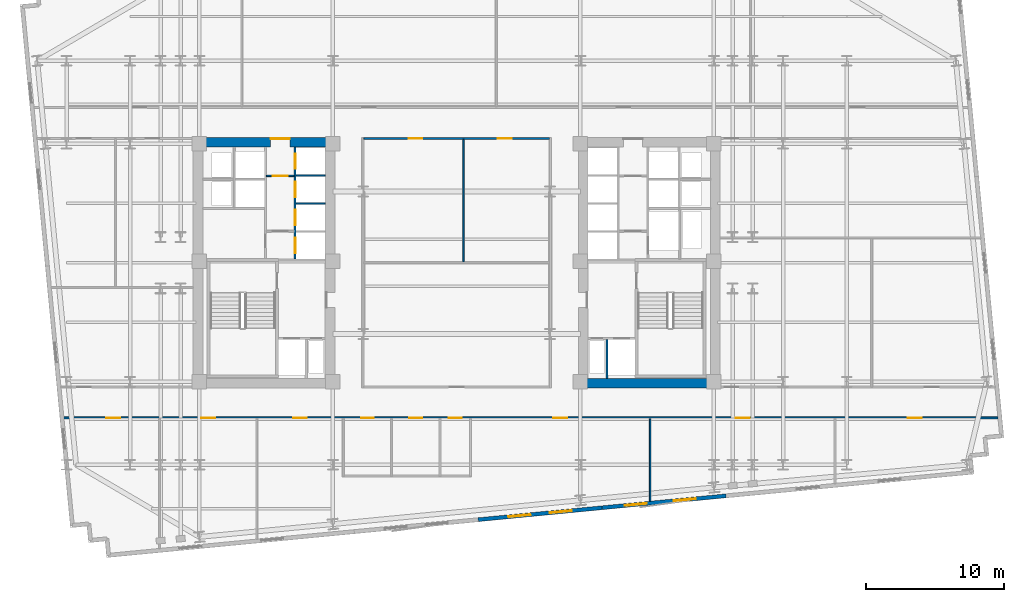
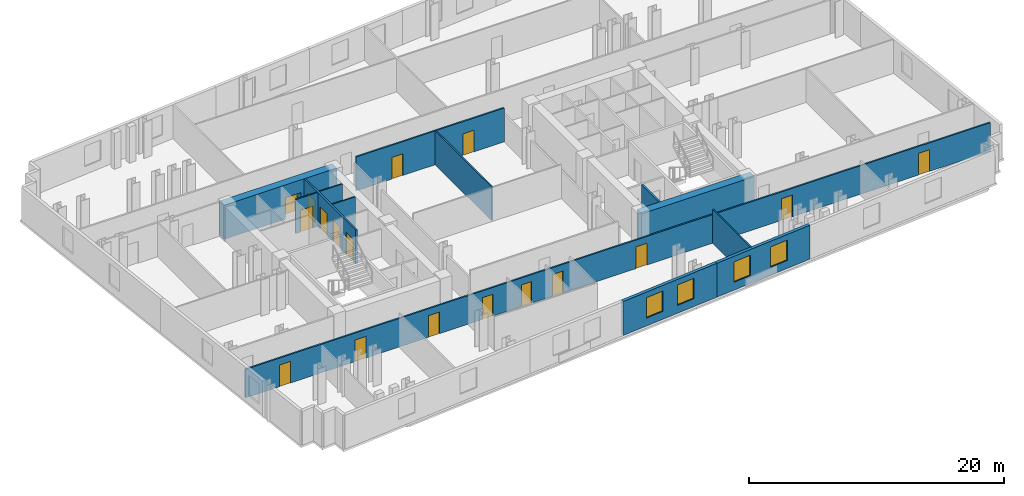
# One storey, part 5 of 10: 17 doors, 13 walls, 4 windows, 21 openings.
"""IFC4 building model written with IfcOpenShell, lengths in metres."""

import ifcopenshell
import ifcopenshell.guid

model = None  # the IFC model being written
_history = None  # IfcOwnerHistory: only IFC2X3 demands one
_inside = {}  # id of a spatial element -> (the spatial element, [elements in it])
_under = {}  # id of a project, library or spatial element -> (it, [spatial elements below it])
_declared = {}  # id of a project -> (the project, [libraries it declares])
_typed = {}  # id of a type object -> (the type object, [elements of that type])
_made_of = {}  # id of a material, layer set ... -> (it, [elements and type objects made of it])


def new_model(schema):
    """Start an empty IFC model of exactly this schema.

    Asked for "IFC4X3", IfcOpenShell would pick the latest addendum, in which some entities
    have other attributes; the version numbers below select the first issue.
    IFC2X3 requires an IfcOwnerHistory on every rooted entity: one is made here for all.
    """
    global model, _history
    if schema == "IFC4X3":
        model = ifcopenshell.file(schema_version=(4, 3, 0, 0))
    else:
        model = ifcopenshell.file(schema=schema)
    _inside.clear()
    _under.clear()
    _declared.clear()
    _typed.clear()
    _made_of.clear()
    _history = None
    if model.schema == "IFC2X3":
        org = make("IfcOrganization", Name="unknown")
        user = make(
            "IfcPersonAndOrganization",
            ThePerson=make("IfcPerson", FamilyName="unknown"),
            TheOrganization=org,
        )
        app = make(
            "IfcApplication",
            ApplicationDeveloper=org,
            Version="unknown",
            ApplicationFullName="unknown",
            ApplicationIdentifier="unknown",
        )
        _history = make(
            "IfcOwnerHistory",
            OwningUser=user,
            OwningApplication=app,
            ChangeAction="ADDED",
            CreationDate=0,
        )
    return model


def make(cls, **values):
    """One entity of the class cls with the attributes given. An attribute that is None is left unset."""
    return model.create_entity(
        cls, **{name: value for name, value in values.items() if value is not None}
    )


def rooted(cls, **values):
    """An entity with a GlobalId (a new one), such as an element, a storey or a relation."""
    return make(cls, GlobalId=ifcopenshell.guid.new(), OwnerHistory=_history, **values)


def si_unit(unit_type, name, prefix=None):
    """IfcSIUnit, for example si_unit("LENGTHUNIT", "METRE", prefix="MILLI")."""
    return make("IfcSIUnit", UnitType=unit_type, Prefix=prefix, Name=name)


def assignment(units):
    """IfcUnitAssignment: the units of a project."""
    return None if units is None else make("IfcUnitAssignment", Units=units)


def point(xyz):
    """IfcCartesianPoint."""
    return None if xyz is None else make("IfcCartesianPoint", Coordinates=xyz)


def direction(xyz):
    """IfcDirection."""
    return None if xyz is None else make("IfcDirection", DirectionRatios=xyz)


def frame(location, z_axis=None, x_axis=None):
    """IfcAxis2Placement3D, a coordinate frame: its origin and axes. An axis left out is left unset."""
    return make(
        "IfcAxis2Placement3D",
        Location=point(location),
        Axis=direction(z_axis),
        RefDirection=direction(x_axis),
    )


def frame_2d(location, x_axis=None):
    """IfcAxis2Placement2D, a coordinate frame in the plane: its origin and x axis."""
    return make(
        "IfcAxis2Placement2D", Location=point(location), RefDirection=direction(x_axis)
    )


def origin():
    """The frame at (0, 0, 0) with its axes left unset."""
    return frame((0.0, 0.0, 0.0))


def place(relative_to, where):
    """IfcLocalPlacement: puts the frame where relative to a parent placement (None: the world)."""
    return make(
        "IfcLocalPlacement", PlacementRelTo=relative_to, RelativePlacement=where
    )


def context(
    kind, dimensions, precision=None, world=None, true_north=None, identifier=None
):
    """IfcGeometricRepresentationContext, for example the 3D "Model" context."""
    return make(
        "IfcGeometricRepresentationContext",
        ContextIdentifier=identifier,
        ContextType=kind,
        CoordinateSpaceDimension=dimensions,
        Precision=precision,
        WorldCoordinateSystem=world,
        TrueNorth=true_north,
    )


def subcontext(parent, identifier, kind, view, scale=None):
    """IfcGeometricRepresentationSubContext, for example "Body" below "Model"."""
    return make(
        "IfcGeometricRepresentationSubContext",
        ContextIdentifier=identifier,
        ContextType=kind,
        ParentContext=parent,
        TargetScale=scale,
        TargetView=view,
    )


def project(units=None, contexts=None):
    """IfcProject with its units and contexts."""
    return rooted(
        "IfcProject",
        Name="project",
        RepresentationContexts=contexts,
        UnitsInContext=assignment(units),
    )


def spatial(cls, under=None, at=None, **own):
    """A site, building, storey or space (cls), placed at a placement, below another one or the project."""
    s = rooted(cls, ObjectPlacement=at, **own)
    if under is not None:
        _under.setdefault(under.id(), (under, []))[1].append(s)
    return s


def profile(cls, at=None, kind="AREA", **sizes):
    """A parametric profile (cls). Its sizes go by their IFC names, for example OverallWidth=200.0."""
    return make(cls, ProfileType=kind, Position=at, **sizes)


def rectangle(**sizes):
    """IfcRectangleProfileDef."""
    return profile("IfcRectangleProfileDef", **sizes)


def extrude(swept, where, along, depth):
    """IfcExtrudedAreaSolid: the profile swept, set in the frame where, extruded along a direction by depth."""
    return make(
        "IfcExtrudedAreaSolid",
        SweptArea=swept,
        Position=where,
        ExtrudedDirection=direction(along),
        Depth=depth,
    )


def shape(context_of_items, identifier, shape_type, items):
    """IfcShapeRepresentation: the items that make up one representation, for example the "Body"."""
    return make(
        "IfcShapeRepresentation",
        ContextOfItems=context_of_items,
        RepresentationIdentifier=identifier,
        RepresentationType=shape_type,
        Items=items,
    )


def material(Name=None, Category=None):
    """IfcMaterial."""
    return make("IfcMaterial", Name=Name, Category=Category)


def layer(
    of_material, thickness, ventilated=None, Name=None, Category=None, Priority=None
):
    """IfcMaterialLayer: one layer of a wall or slab, of a material (None: an air gap)."""
    return make(
        "IfcMaterialLayer",
        Material=of_material,
        LayerThickness=thickness,
        IsVentilated=ventilated,
        Name=Name,
        Category=Category,
        Priority=Priority,
    )


def layer_set(layers, Name=None):
    """IfcMaterialLayerSet."""
    return make("IfcMaterialLayerSet", MaterialLayers=layers, LayerSetName=Name)


def made_of(thing, what):
    """Note that an element or type object is made of a material, layer set ...; save() writes the relation."""
    if what is not None:
        _made_of.setdefault(what.id(), (what, []))[1].append(thing)
    return thing


def type_object(cls, material=None, **own):
    """A type object (cls), such as IfcWallType, which elements share."""
    return made_of(rooted(cls, **own), material)


def element(
    cls,
    number,
    at=None,
    inside=None,
    cuts=None,
    type_object=None,
    material=None,
    context=None,
    identifier="Body",
    shape_type=None,
    held_by="IfcProductDefinitionShape",
    body=None,
    shapes=None,
    **own,
):
    """One element of the class cls, such as IfcWall. Its Tag is "e" and its number.

    at: its placement. inside: the storey or other place that contains it. cuts: it is an
    opening in that element (IfcRelVoidsElement). A single representation is given by context,
    identifier, shape_type and body (its items); several are given by shapes. held_by: the class
    of the entity that holds the representations. save() writes the other relations.
    """
    e = rooted(cls, Tag="e%d" % number, ObjectPlacement=at, **own)
    if body is not None:
        shapes = [shape(context, identifier, shape_type, body)]
    if shapes is not None:
        e.Representation = make(held_by, Representations=shapes)
    if inside is not None:
        _inside.setdefault(inside.id(), (inside, []))[1].append(e)
    if cuts is not None:
        rooted(
            "IfcRelVoidsElement", RelatingBuildingElement=cuts, RelatedOpeningElement=e
        )
    if type_object is not None:
        _typed.setdefault(type_object.id(), (type_object, []))[1].append(e)
    return made_of(e, material)


def fill(opening, filler):
    """IfcRelFillsElement: the door or window that sits in an opening."""
    return rooted(
        "IfcRelFillsElement",
        RelatingOpeningElement=opening,
        RelatedBuildingElement=filler,
    )


def aggregate(whole, parts):
    """IfcRelAggregates: a whole, such as a stair, and the parts it consists of."""
    return rooted("IfcRelAggregates", RelatingObject=whole, RelatedObjects=parts)


def save(model, path):
    """Write the relations noted so far, then the file.

    IfcRelAggregates (storeys below a building ...), IfcRelContainedInSpatialStructure (elements
    in a storey), IfcRelDefinesByType, IfcRelAssociatesMaterial and IfcRelDeclares: one each for
    every whole, place, type object, material and project.
    """
    for whole, parts in _under.values():
        aggregate(whole, parts)
    for where, things in _inside.values():
        rooted(
            "IfcRelContainedInSpatialStructure",
            RelatedElements=things,
            RelatingStructure=where,
        )
    for kind, things in _typed.values():
        rooted("IfcRelDefinesByType", RelatedObjects=things, RelatingType=kind)
    for what, things in _made_of.values():
        rooted("IfcRelAssociatesMaterial", RelatedObjects=things, RelatingMaterial=what)
    for by, libraries in _declared.values():
        rooted("IfcRelDeclares", RelatingContext=by, RelatedDefinitions=libraries)
    model.write(path)


model = new_model("IFC4")

# Units and contexts
model_context = context("Model", 3, precision=1e-05, world=origin(), true_north=direction((0.0, 1.0)))
body_context = subcontext(model_context, "Body", "Model", "MODEL_VIEW")
ifc_project = project(units=[si_unit("LENGTHUNIT", "METRE"), si_unit("AREAUNIT", "SQUARE_METRE"), si_unit("VOLUMEUNIT", "CUBIC_METRE"), si_unit("PLANEANGLEUNIT", "RADIAN"), si_unit("MASSUNIT", "GRAM", prefix="KILO")], contexts=[model_context])

# Site, building, storey
site_placement = place(None, origin())
site = spatial("IfcSite", under=ifc_project, at=site_placement, CompositionType="ELEMENT")
building_placement = place(site_placement, origin())
building = spatial("IfcBuilding", under=site, at=building_placement, Name="Velakula Bourse", CompositionType="ELEMENT")
storey_placement = place(building_placement, frame((0.0, 0.0, 98.35009765625)))
storey = spatial("IfcBuildingStorey", under=building, at=storey_placement, Name="L26", CompositionType="ELEMENT", Elevation=98.35009765625)

# Wall, opening, door
ifc_material_1 = material(Name="Concrete M70 (fck 70 MPa)", Category="concrete")
ifc_layer_1 = layer(ifc_material_1, 0.699951171875, Name="Concrete M70 (fck 70 MPa)", Category="concrete")
ifc_layer_set_1 = layer_set([ifc_layer_1], Name="Concrete M70 (fck 70 MPa)")
wall_type_1 = type_object("IfcWallType", Name="WL-CORE-700", PredefinedType="SHEAR", material=ifc_layer_set_1)
wall_1_placement = place(storey_placement, frame((-19.050048828125, 8.699951171875, 0.0), z_axis=(0.0, 0.0, 1.0), x_axis=(1.0, 0.0, 0.0)))
wall_1 = element("IfcWall", 1, at=wall_1_placement, inside=storey, type_object=wall_type_1, Name="L26 Core W Shear Wall N", PredefinedType="SHEAR", context=body_context, shape_type="SweptSolid", body=[
    extrude(rectangle(XDim=10.25, YDim=0.699951171875, at=frame_2d((5.125, 0.0))), origin(), (0.0, 0.0, 1.0), 3.27001953125),
])
opening_1_placement = place(wall_1_placement, frame((5.60009765625, 0.0, 0.0)))
opening_1 = element("IfcOpeningElement", 2, at=opening_1_placement, cuts=wall_1, Name="Opening D-LLW", PredefinedType="OPENING", context=body_context, shape_type="SweptSolid", body=[
    extrude(rectangle(XDim=1.39990234375, YDim=2.050048828125, at=frame_2d((0.699951171875, 1.02490234375))), frame((0.0, 0.35986328125, 0.0), z_axis=(0.0, -1.0, 0.0), x_axis=(1.0, 0.0, 0.0)), (0.0, 0.0, 1.0), 0.719970703125),
])
ifc_material_2 = material(Name="Fire-rated hardwood flush architectural door", Category="wood")
door_type_1 = type_object("IfcDoorType", Name="DR-DBL-FD60-1400", OperationType="DOUBLE_DOOR_SINGLE_SWING", PredefinedType="DOOR", material=ifc_material_2)
door_1_placement = place(opening_1_placement, origin())
door_1 = element("IfcDoor", 3, at=door_1_placement, inside=storey, type_object=door_type_1, Name="L26 Core W Lift Lobby Corridor Double Door", OperationType="DOUBLE_DOOR_SINGLE_SWING", OverallHeight=2.050048828125, OverallWidth=1.39990234375, PredefinedType="DOOR", context=body_context, shape_type="SweptSolid", body=[
    extrude(rectangle(XDim=1.39990234375, YDim=2.050048828125, at=frame_2d((0.699951171875, 1.02490234375))), frame((0.0, 0.294921875, 0.0), z_axis=(0.0, -1.0, 0.0), x_axis=(1.0, 0.0, 0.0)), (0.0, 0.0, 1.0), 0.050048828125),
])
fill(opening_1, door_1)

# Wall
wall_2_placement = place(storey_placement, frame((8.800048828125, -8.699951171875, 0.0), z_axis=(0.0, 0.0, 1.0), x_axis=(1.0, 0.0, 0.0)))
element("IfcWall", 4, at=wall_2_placement, inside=storey, type_object=wall_type_1, Name="L26 Core E Shear Wall S", PredefinedType="SHEAR", context=body_context, shape_type="SweptSolid", body=[
    extrude(rectangle(XDim=10.25, YDim=0.699951171875, at=frame_2d((5.125, 0.0))), origin(), (0.0, 0.0, 1.0), 3.27001953125),
])

# Wall, openings, windows
ifc_material_3 = material(Name="Red kilned clay facing brick masonry", Category="masonry")
ifc_layer_2 = layer(ifc_material_3, 0.280029296875, Name="Red kilned clay facing brick masonry", Category="masonry")
ifc_layer_set_2 = layer_set([ifc_layer_2], Name="Red kilned clay facing brick masonry")
wall_type_2 = type_object("IfcWallType", Name="WL-EXT-BRK-280", PredefinedType="STANDARD", material=ifc_layer_set_2)
wall_3_placement = place(storey_placement, frame((10.51513671875, -17.7109375, 0.0), z_axis=(0.0, 0.0, 1.0), x_axis=(-0.995397043619, -0.095836973841, 0.0)))
wall_3 = element("IfcWall", 5, at=wall_3_placement, inside=storey, type_object=wall_type_2, Name="L26 S Brick Spandrel Wall B3", PredefinedType="STANDARD", context=body_context, shape_type="SweptSolid", body=[
    extrude(rectangle(XDim=9.000244140625, YDim=0.280029296875, at=frame_2d((4.5, 0.0))), origin(), (0.0, 0.0, 1.0), 3.25),
])
opening_2_placement = place(wall_3_placement, frame((2.199951171875, 0.0, 0.760009765625)))
opening_2 = element("IfcOpeningElement", 6, at=opening_2_placement, cuts=wall_3, Name="Opening W-02", PredefinedType="OPENING", context=body_context, shape_type="SweptSolid", body=[
    extrude(rectangle(XDim=1.60009765625, YDim=1.949951171875, at=frame_2d((0.800048828125, 0.97509765625))), frame((0.0, 0.14990234375, 0.0), z_axis=(0.0, -1.0, 0.0), x_axis=(1.0, 0.0, 0.0)), (0.0, 0.0, 1.0), 0.300048828125),
])
opening_3_placement = place(wall_3_placement, frame((5.199951171875, 0.0, 0.760009765625)))
opening_3 = element("IfcOpeningElement", 7, at=opening_3_placement, cuts=wall_3, Name="Opening W-02", PredefinedType="OPENING", context=body_context, shape_type="SweptSolid", body=[
    extrude(rectangle(XDim=1.60009765625, YDim=1.949951171875, at=frame_2d((0.800048828125, 0.97509765625))), frame((0.0, 0.14990234375, 0.0), z_axis=(0.0, -1.0, 0.0), x_axis=(1.0, 0.0, 0.0)), (0.0, 0.0, 1.0), 0.300048828125),
])
ifc_material_4 = material(Name="Double-glazed solar-control Low-E glass", Category="glass")
window_type = type_object("IfcWindowType", Name="WIN-TWR-1600x2100", PartitioningType="SINGLE_PANEL", PredefinedType="WINDOW", material=ifc_material_4)
window_1_placement = place(opening_2_placement, origin())
window_1 = element("IfcWindow", 8, at=window_1_placement, inside=storey, type_object=window_type, Name="L26 Deep-Set Recessed Window 1", OverallHeight=1.949951171875, OverallWidth=1.60009765625, PartitioningType="SINGLE_PANEL", PredefinedType="WINDOW", context=body_context, shape_type="SweptSolid", body=[
    extrude(rectangle(XDim=1.60009765625, YDim=1.949951171875, at=frame_2d((0.800048828125, 0.97509765625))), frame((0.0, 0.030029296875, 0.0), z_axis=(0.0, -1.0, 0.0), x_axis=(1.0, 0.0, 0.0)), (0.0, 0.0, 1.0), 0.06005859375),
])
fill(opening_2, window_1)
window_2_placement = place(opening_3_placement, origin())
window_2 = element("IfcWindow", 9, at=window_2_placement, inside=storey, type_object=window_type, Name="L26 Deep-Set Recessed Window 2", OverallHeight=1.949951171875, OverallWidth=1.60009765625, PartitioningType="SINGLE_PANEL", PredefinedType="WINDOW", context=body_context, shape_type="SweptSolid", body=[
    extrude(rectangle(XDim=1.60009765625, YDim=1.949951171875, at=frame_2d((0.800048828125, 0.97509765625))), frame((0.0, 0.030029296875, 0.0), z_axis=(0.0, -1.0, 0.0), x_axis=(1.0, 0.0, 0.0)), (0.0, 0.0, 1.0), 0.06005859375),
])
fill(opening_3, window_2)

wall_4_placement = place(storey_placement, frame((19.4736328125, -16.848388671875, 0.0), z_axis=(0.0, 0.0, 1.0), x_axis=(-0.995396794462, -0.09583956164, 0.0)))
wall_4 = element("IfcWall", 10, at=wall_4_placement, inside=storey, type_object=wall_type_2, Name="L26 S Brick Spandrel Wall B4", PredefinedType="STANDARD", context=body_context, shape_type="SweptSolid", body=[
    extrude(rectangle(XDim=9.0, YDim=0.280029296875, at=frame_2d((4.5, 0.0))), origin(), (0.0, 0.0, 1.0), 3.25),
])
opening_4_placement = place(wall_4_placement, frame((2.199951171875, 0.0, 0.760009765625)))
opening_4 = element("IfcOpeningElement", 11, at=opening_4_placement, cuts=wall_4, Name="Opening W-02", PredefinedType="OPENING", context=body_context, shape_type="SweptSolid", body=[
    extrude(rectangle(XDim=1.60009765625, YDim=1.949951171875, at=frame_2d((0.800048828125, 0.97509765625))), frame((0.0, 0.14990234375, 0.0), z_axis=(0.0, -1.0, 0.0), x_axis=(1.0, 0.0, 0.0)), (0.0, 0.0, 1.0), 0.300048828125),
])
opening_5_placement = place(wall_4_placement, frame((5.75, 0.0, 0.760009765625)))
opening_5 = element("IfcOpeningElement", 12, at=opening_5_placement, cuts=wall_4, Name="Opening W-02", PredefinedType="OPENING", context=body_context, shape_type="SweptSolid", body=[
    extrude(rectangle(XDim=1.60009765625, YDim=1.949951171875, at=frame_2d((0.800048828125, 0.97509765625))), frame((0.0, 0.14990234375, 0.0), z_axis=(0.0, -1.0, 0.0), x_axis=(1.0, 0.0, 0.0)), (0.0, 0.0, 1.0), 0.300048828125),
])
window_3_placement = place(opening_4_placement, origin())
window_3 = element("IfcWindow", 13, at=window_3_placement, inside=storey, type_object=window_type, Name="L26 Deep-Set Recessed Window 1", OverallHeight=1.949951171875, OverallWidth=1.60009765625, PartitioningType="SINGLE_PANEL", PredefinedType="WINDOW", context=body_context, shape_type="SweptSolid", body=[
    extrude(rectangle(XDim=1.60009765625, YDim=1.949951171875, at=frame_2d((0.800048828125, 0.97509765625))), frame((0.0, 0.030029296875, 0.0), z_axis=(0.0, -1.0, 0.0), x_axis=(1.0, 0.0, 0.0)), (0.0, 0.0, 1.0), 0.06005859375),
])
fill(opening_4, window_3)
window_4_placement = place(opening_5_placement, origin())
window_4 = element("IfcWindow", 14, at=window_4_placement, inside=storey, type_object=window_type, Name="L26 Deep-Set Recessed Window 2", OverallHeight=1.949951171875, OverallWidth=1.60009765625, PartitioningType="SINGLE_PANEL", PredefinedType="WINDOW", context=body_context, shape_type="SweptSolid", body=[
    extrude(rectangle(XDim=1.60009765625, YDim=1.949951171875, at=frame_2d((0.800048828125, 0.97509765625))), frame((0.0, 0.030029296875, 0.0), z_axis=(0.0, -1.0, 0.0), x_axis=(1.0, 0.0, 0.0)), (0.0, 0.0, 1.0), 0.06005859375),
])
fill(opening_5, window_4)

# Wall, opening, door
ifc_material_5 = material(Name="Fire-rated double-layer gypsum drywall partition", Category="gypsum")
ifc_layer_3 = layer(ifc_material_5, 0.1201171875, Name="Fire-rated double-layer gypsum drywall partition", Category="gypsum")
ifc_layer_set_3 = layer_set([ifc_layer_3], Name="Fire-rated double-layer gypsum drywall partition")
wall_type_3 = type_object("IfcWallType", Name="WL-PART-120", PredefinedType="STANDARD", material=ifc_layer_set_3)
wall_5_placement = place(storey_placement, frame((-13.75, 6.280029296875, 0.0), z_axis=(0.0, 0.0, 1.0), x_axis=(1.0, 0.0, 0.0)))
wall_5 = element("IfcWall", 15, at=wall_5_placement, inside=storey, type_object=wall_type_3, Name="L26 Interior Partition WL-CRW-L26-LL-K3B", PredefinedType="STANDARD", context=body_context, shape_type="SweptSolid", body=[
    extrude(rectangle(XDim=2.0, YDim=0.1201171875, at=frame_2d((1.0, 0.0))), origin(), (0.0, 0.0, 1.0), 3.25),
])
opening_6_placement = place(wall_5_placement, frame((0.449951171875, 0.0, 0.0)))
opening_6 = element("IfcOpeningElement", 16, at=opening_6_placement, cuts=wall_5, Name="Opening D-LK3", PredefinedType="OPENING", context=body_context, shape_type="SweptSolid", body=[
    extrude(rectangle(XDim=1.10009765625, YDim=2.10009765625, at=frame_2d((0.550048828125, 1.050048828125))), frame((0.0, 0.070068359375, 0.0), z_axis=(0.0, -1.0, 0.0), x_axis=(1.0, 0.0, 0.0)), (0.0, 0.0, 1.0), 0.14013671875),
])
door_type_2 = type_object("IfcDoorType", Name="DR-FD60-1100x2100", OperationType="NOTDEFINED", PredefinedType="DOOR", material=ifc_material_2)
door_2_placement = place(opening_6_placement, origin())
door_2 = element("IfcDoor", 17, at=door_2_placement, inside=storey, type_object=door_type_2, Name="L26 Core W Lift Lobby Vestibule Door B", OperationType="SINGLE_SWING_RIGHT", OverallHeight=2.10009765625, OverallWidth=1.10009765625, PredefinedType="DOOR", context=body_context, shape_type="SweptSolid", body=[
    extrude(rectangle(XDim=1.10009765625, YDim=2.10009765625, at=frame_2d((0.550048828125, 1.050048828125))), frame((0.0, 0.02490234375, 0.0), z_axis=(0.0, -1.0, 0.0), x_axis=(1.0, 0.0, 0.0)), (0.0, 0.0, 1.0), 0.050048828125),
])
fill(opening_6, door_2)

# Walls
for number, where, z_axis, x_axis, name in (
    (18, (-11.60009765625, 4.284912109375, 0.0), (0.0, 0.0, 1.0), (1.0, 0.0, 0.0), "L26 Interior Partition WL-CRW-L26-BDIV-1"),
    (19, (-11.60009765625, 6.31494140625, 0.0), (0.0, 0.0, 1.0), (1.0, 0.0, 0.0), "L26 Interior Partition WL-CRW-L26-BDIV-2"),
):
    element("IfcWall", number, at=place(storey_placement, frame(where, z_axis=z_axis, x_axis=x_axis)), inside=storey, type_object=wall_type_3, Name=name, PredefinedType="STANDARD", context=body_context, shape_type="SweptSolid", body=[
        extrude(rectangle(XDim=2.10009765625, YDim=0.110107421875, at=frame_2d((1.050048828125, 0.0))), origin(), (0.0, 0.0, 1.0), 3.25),
    ])
wall_6_placement = place(storey_placement, frame((13.986083984375, -17.256103515625, 0.0), z_axis=(0.0, 0.0, 1.0), x_axis=(0.0, 1.0, 0.0)))
element("IfcWall", 20, at=wall_6_placement, inside=storey, type_object=wall_type_3, Name="L26 Interior Partition WL-INT-L26-SR-D7", PredefinedType="STANDARD", context=body_context, shape_type="SweptSolid", body=[
    extrude(rectangle(XDim=5.966064453125, YDim=0.1201171875, at=frame_2d((2.98291015625, 0.0))), origin(), (0.0, 0.0, 1.0), 3.25),
])

# Wall, openings, doors
ifc_layer_4 = layer(ifc_material_5, 0.139892578125, Name="Fire-rated double-layer gypsum drywall partition", Category="gypsum")
ifc_layer_set_4 = layer_set([ifc_layer_4], Name="Fire-rated double-layer gypsum drywall partition")
wall_type_4 = type_object("IfcWallType", Name="WL-PART-140", PredefinedType="STANDARD", material=ifc_layer_set_4)
wall_7_placement = place(storey_placement, frame((-28.40625, -11.219970703125, 0.0), z_axis=(0.0, 0.0, 1.0), x_axis=(1.0, 0.0, 0.0)))
wall_7 = element("IfcWall", 21, at=wall_7_placement, inside=storey, type_object=wall_type_4, Name="L26 Interior Partition WL-INT-L26-S-CORR", PredefinedType="STANDARD", context=body_context, shape_type="SweptSolid", body=[
    extrude(rectangle(XDim=67.551025390625, YDim=0.139892578125, at=frame_2d((33.775390625, 0.0))), origin(), (0.0, 0.0, 1.0), 2.744873046875),
])
opening_7_placement = place(wall_7_placement, frame((21.496337890625, 0.0, 0.0)))
opening_7 = element("IfcOpeningElement", 22, at=opening_7_placement, cuts=wall_7, Name="Opening D-WT1", PredefinedType="OPENING", context=body_context, shape_type="SweptSolid", body=[
    extrude(rectangle(XDim=0.919921875, YDim=2.080078125, at=frame_2d((0.4599609375, 1.0400390625))), frame((0.0, 0.079833984375, 0.0), z_axis=(0.0, -1.0, 0.0), x_axis=(1.0, 0.0, 0.0)), (0.0, 0.0, 1.0), 0.159912109375),
])
opening_8_placement = place(wall_7_placement, frame((24.996337890625, 0.0, 0.0)))
opening_8 = element("IfcOpeningElement", 23, at=opening_8_placement, cuts=wall_7, Name="Opening D-WT1", PredefinedType="OPENING", context=body_context, shape_type="SweptSolid", body=[
    extrude(rectangle(XDim=0.919921875, YDim=2.080078125, at=frame_2d((0.4599609375, 1.0400390625))), frame((0.0, 0.079833984375, 0.0), z_axis=(0.0, -1.0, 0.0), x_axis=(1.0, 0.0, 0.0)), (0.0, 0.0, 1.0), 0.159912109375),
])
opening_9_placement = place(wall_7_placement, frame((27.84619140625, 0.0, 0.0)))
opening_9 = element("IfcOpeningElement", 24, at=opening_9_placement, cuts=wall_7, Name="Opening D-WC1", PredefinedType="OPENING", context=body_context, shape_type="SweptSolid", body=[
    extrude(rectangle(XDim=0.919921875, YDim=2.080078125, at=frame_2d((0.4599609375, 1.0400390625))), frame((0.0, 0.079833984375, 0.0), z_axis=(0.0, -1.0, 0.0), x_axis=(1.0, 0.0, 0.0)), (0.0, 0.0, 1.0), 0.159912109375),
])
opening_10_placement = place(wall_7_placement, frame((3.0830078125, 0.0, 0.0)))
opening_10 = element("IfcOpeningElement", 25, at=opening_10_placement, cuts=wall_7, Name="Opening D-OF1", PredefinedType="OPENING", context=body_context, shape_type="SweptSolid", body=[
    extrude(rectangle(XDim=1.0, YDim=2.080078125, at=frame_2d((0.5, 1.0400390625))), frame((0.0, 0.079833984375, 0.0), z_axis=(0.0, -1.0, 0.0), x_axis=(1.0, 0.0, 0.0)), (0.0, 0.0, 1.0), 0.159912109375),
])
opening_11_placement = place(wall_7_placement, frame((9.938720703125, 0.0, 0.0)))
opening_11 = element("IfcOpeningElement", 26, at=opening_11_placement, cuts=wall_7, Name="Opening D-OF1", PredefinedType="OPENING", context=body_context, shape_type="SweptSolid", body=[
    extrude(rectangle(XDim=1.0, YDim=2.080078125, at=frame_2d((0.5, 1.0400390625))), frame((0.0, 0.079833984375, 0.0), z_axis=(0.0, -1.0, 0.0), x_axis=(1.0, 0.0, 0.0)), (0.0, 0.0, 1.0), 0.159912109375),
])
opening_12_placement = place(wall_7_placement, frame((16.584716796875, 0.0, 0.0)))
opening_12 = element("IfcOpeningElement", 27, at=opening_12_placement, cuts=wall_7, Name="Opening D-OF1", PredefinedType="OPENING", context=body_context, shape_type="SweptSolid", body=[
    extrude(rectangle(XDim=1.0, YDim=2.080078125, at=frame_2d((0.5, 1.0400390625))), frame((0.0, 0.079833984375, 0.0), z_axis=(0.0, -1.0, 0.0), x_axis=(1.0, 0.0, 0.0)), (0.0, 0.0, 1.0), 0.159912109375),
])
opening_13_placement = place(wall_7_placement, frame((35.3994140625, 0.0, 0.0)))
opening_13 = element("IfcOpeningElement", 28, at=opening_13_placement, cuts=wall_7, Name="Opening D-OF1", PredefinedType="OPENING", context=body_context, shape_type="SweptSolid", body=[
    extrude(rectangle(XDim=1.0, YDim=2.080078125, at=frame_2d((0.5, 1.0400390625))), frame((0.0, 0.079833984375, 0.0), z_axis=(0.0, -1.0, 0.0), x_axis=(1.0, 0.0, 0.0)), (0.0, 0.0, 1.0), 0.159912109375),
])
opening_14_placement = place(wall_7_placement, frame((48.576416015625, 0.0, 0.0)))
opening_14 = element("IfcOpeningElement", 29, at=opening_14_placement, cuts=wall_7, Name="Opening D-OF1", PredefinedType="OPENING", context=body_context, shape_type="SweptSolid", body=[
    extrude(rectangle(XDim=1.0, YDim=2.080078125, at=frame_2d((0.5, 1.0400390625))), frame((0.0, 0.079833984375, 0.0), z_axis=(0.0, -1.0, 0.0), x_axis=(1.0, 0.0, 0.0)), (0.0, 0.0, 1.0), 0.159912109375),
])
opening_15_placement = place(wall_7_placement, frame((61.029541015625, 0.0, 0.0)))
opening_15 = element("IfcOpeningElement", 30, at=opening_15_placement, cuts=wall_7, Name="Opening D-OF1", PredefinedType="OPENING", context=body_context, shape_type="SweptSolid", body=[
    extrude(rectangle(XDim=1.0, YDim=2.080078125, at=frame_2d((0.5, 1.0400390625))), frame((0.0, 0.079833984375, 0.0), z_axis=(0.0, -1.0, 0.0), x_axis=(1.0, 0.0, 0.0)), (0.0, 0.0, 1.0), 0.159912109375),
])
door_type_3 = type_object("IfcDoorType", Name="DR-OFF-1000", OperationType="NOTDEFINED", PredefinedType="DOOR", material=ifc_material_2)
door_3_placement = place(opening_10_placement, origin())
door_3 = element("IfcDoor", 31, at=door_3_placement, inside=storey, type_object=door_type_3, Name="L26 Breakout Dining Lounge Door", OperationType="SINGLE_SWING_RIGHT", OverallHeight=2.080078125, OverallWidth=1.0, PredefinedType="DOOR", context=body_context, shape_type="SweptSolid", body=[
    extrude(rectangle(XDim=1.0, YDim=2.080078125, at=frame_2d((0.5, 1.0400390625))), frame((0.0, 0.02490234375, 0.0), z_axis=(0.0, -1.0, 0.0), x_axis=(1.0, 0.0, 0.0)), (0.0, 0.0, 1.0), 0.050048828125),
])
fill(opening_10, door_3)
door_4_placement = place(opening_11_placement, origin())
door_4 = element("IfcDoor", 32, at=door_4_placement, inside=storey, type_object=door_type_3, Name="L26 Primary Dealer Office Door", OperationType="SINGLE_SWING_LEFT", OverallHeight=2.080078125, OverallWidth=1.0, PredefinedType="DOOR", context=body_context, shape_type="SweptSolid", body=[
    extrude(rectangle(XDim=1.0, YDim=2.080078125, at=frame_2d((0.5, 1.0400390625))), frame((0.0, 0.02490234375, 0.0), z_axis=(0.0, -1.0, 0.0), x_axis=(1.0, 0.0, 0.0)), (0.0, 0.0, 1.0), 0.050048828125),
])
fill(opening_11, door_4)
door_5_placement = place(opening_12_placement, origin())
door_5 = element("IfcDoor", 33, at=door_5_placement, inside=storey, type_object=door_type_3, Name="L26 Arbitration Conference Room Door", OperationType="SINGLE_SWING_RIGHT", OverallHeight=2.080078125, OverallWidth=1.0, PredefinedType="DOOR", context=body_context, shape_type="SweptSolid", body=[
    extrude(rectangle(XDim=1.0, YDim=2.080078125, at=frame_2d((0.5, 1.0400390625))), frame((0.0, 0.02490234375, 0.0), z_axis=(0.0, -1.0, 0.0), x_axis=(1.0, 0.0, 0.0)), (0.0, 0.0, 1.0), 0.050048828125),
])
fill(opening_12, door_5)
door_6_placement = place(opening_13_placement, origin())
door_6 = element("IfcDoor", 34, at=door_6_placement, inside=storey, type_object=door_type_3, Name="L26 Tea Room Kitchenette Door", OperationType="SINGLE_SWING_LEFT", OverallHeight=2.080078125, OverallWidth=1.0, PredefinedType="DOOR", context=body_context, shape_type="SweptSolid", body=[
    extrude(rectangle(XDim=1.0, YDim=2.080078125, at=frame_2d((0.5, 1.0400390625))), frame((0.0, 0.02490234375, 0.0), z_axis=(0.0, -1.0, 0.0), x_axis=(1.0, 0.0, 0.0)), (0.0, 0.0, 1.0), 0.050048828125),
])
fill(opening_13, door_6)
door_7_placement = place(opening_14_placement, origin())
door_7 = element("IfcDoor", 35, at=door_7_placement, inside=storey, type_object=door_type_3, Name="L26 Market Surveillance Control Workspace Door", OperationType="SINGLE_SWING_RIGHT", OverallHeight=2.080078125, OverallWidth=1.0, PredefinedType="DOOR", context=body_context, shape_type="SweptSolid", body=[
    extrude(rectangle(XDim=1.0, YDim=2.080078125, at=frame_2d((0.5, 1.0400390625))), frame((0.0, 0.02490234375, 0.0), z_axis=(0.0, -1.0, 0.0), x_axis=(1.0, 0.0, 0.0)), (0.0, 0.0, 1.0), 0.050048828125),
])
fill(opening_14, door_7)
door_8_placement = place(opening_15_placement, origin())
door_8 = element("IfcDoor", 36, at=door_8_placement, inside=storey, type_object=door_type_3, Name="L26 Compliance Review Office Door", OperationType="SINGLE_SWING_LEFT", OverallHeight=2.080078125, OverallWidth=1.0, PredefinedType="DOOR", context=body_context, shape_type="SweptSolid", body=[
    extrude(rectangle(XDim=1.0, YDim=2.080078125, at=frame_2d((0.5, 1.0400390625))), frame((0.0, 0.02490234375, 0.0), z_axis=(0.0, -1.0, 0.0), x_axis=(1.0, 0.0, 0.0)), (0.0, 0.0, 1.0), 0.050048828125),
])
fill(opening_15, door_8)
door_type_4 = type_object("IfcDoorType", Name="DR-WC-950", OperationType="NOTDEFINED", PredefinedType="DOOR", material=ifc_material_2)
door_9_placement = place(opening_7_placement, origin())
door_9 = element("IfcDoor", 37, at=door_9_placement, inside=storey, type_object=door_type_4, Name="L26 Male Staff Toilet Door", OperationType="SINGLE_SWING_LEFT", OverallHeight=2.080078125, OverallWidth=0.919921875, PredefinedType="DOOR", context=body_context, shape_type="SweptSolid", body=[
    extrude(rectangle(XDim=0.919921875, YDim=2.080078125, at=frame_2d((0.4599609375, 1.0400390625))), frame((0.0, 0.02490234375, 0.0), z_axis=(0.0, -1.0, 0.0), x_axis=(1.0, 0.0, 0.0)), (0.0, 0.0, 1.0), 0.050048828125),
])
fill(opening_7, door_9)
door_10_placement = place(opening_8_placement, origin())
door_10 = element("IfcDoor", 38, at=door_10_placement, inside=storey, type_object=door_type_4, Name="L26 Female Staff Toilet Door", OperationType="SINGLE_SWING_RIGHT", OverallHeight=2.080078125, OverallWidth=0.919921875, PredefinedType="DOOR", context=body_context, shape_type="SweptSolid", body=[
    extrude(rectangle(XDim=0.919921875, YDim=2.080078125, at=frame_2d((0.4599609375, 1.0400390625))), frame((0.0, 0.02490234375, 0.0), z_axis=(0.0, -1.0, 0.0), x_axis=(1.0, 0.0, 0.0)), (0.0, 0.0, 1.0), 0.050048828125),
])
fill(opening_8, door_10)
door_11_placement = place(opening_9_placement, origin())
door_11 = element("IfcDoor", 39, at=door_11_placement, inside=storey, type_object=door_type_4, Name="L26 Accessible WC Door", OperationType="SINGLE_SWING_LEFT", OverallHeight=2.080078125, OverallWidth=0.919921875, PredefinedType="DOOR", context=body_context, shape_type="SweptSolid", body=[
    extrude(rectangle(XDim=0.919921875, YDim=2.080078125, at=frame_2d((0.4599609375, 1.0400390625))), frame((0.0, 0.02490234375, 0.0), z_axis=(0.0, -1.0, 0.0), x_axis=(1.0, 0.0, 0.0)), (0.0, 0.0, 1.0), 0.050048828125),
])
fill(opening_9, door_11)

wall_8_placement = place(storey_placement, frame((-6.7099609375, 8.97998046875, 0.0), z_axis=(0.0, 0.0, 1.0), x_axis=(1.0, 0.0, 0.0)))
wall_8 = element("IfcWall", 40, at=wall_8_placement, inside=storey, type_object=wall_type_4, Name="L26 Interior Partition WL-INT-L26-MID-N", PredefinedType="STANDARD", context=body_context, shape_type="SweptSolid", body=[
    extrude(rectangle(XDim=13.419921875, YDim=0.139892578125, at=frame_2d((6.7099609375, 0.0))), origin(), (0.0, 0.0, 1.0), 3.25),
])
opening_16_placement = place(wall_8_placement, frame((3.23095703125, 0.0, 0.0)))
opening_16 = element("IfcOpeningElement", 41, at=opening_16_placement, cuts=wall_8, Name="Opening D-OF1", PredefinedType="OPENING", context=body_context, shape_type="SweptSolid", body=[
    extrude(rectangle(XDim=1.0, YDim=2.080078125, at=frame_2d((0.5, 1.0400390625))), frame((0.0, 0.079833984375, 0.0), z_axis=(0.0, -1.0, 0.0), x_axis=(1.0, 0.0, 0.0)), (0.0, 0.0, 1.0), 0.159912109375),
])
opening_17_placement = place(wall_8_placement, frame((9.68896484375, 0.0, 0.0)))
opening_17 = element("IfcOpeningElement", 42, at=opening_17_placement, cuts=wall_8, Name="Opening D-OF1", PredefinedType="OPENING", context=body_context, shape_type="SweptSolid", body=[
    extrude(rectangle(XDim=1.0, YDim=2.080078125, at=frame_2d((0.5, 1.0400390625))), frame((0.0, 0.079833984375, 0.0), z_axis=(0.0, -1.0, 0.0), x_axis=(1.0, 0.0, 0.0)), (0.0, 0.0, 1.0), 0.159912109375),
])
door_12_placement = place(opening_16_placement, origin())
door_12 = element("IfcDoor", 43, at=door_12_placement, inside=storey, type_object=door_type_3, Name="L26 Risk Committee Room Door", OperationType="SINGLE_SWING_LEFT", OverallHeight=2.080078125, OverallWidth=1.0, PredefinedType="DOOR", context=body_context, shape_type="SweptSolid", body=[
    extrude(rectangle(XDim=1.0, YDim=2.080078125, at=frame_2d((0.5, 1.0400390625))), frame((0.0, 0.02490234375, 0.0), z_axis=(0.0, -1.0, 0.0), x_axis=(1.0, 0.0, 0.0)), (0.0, 0.0, 1.0), 0.050048828125),
])
fill(opening_16, door_12)
door_13_placement = place(opening_17_placement, origin())
door_13 = element("IfcDoor", 44, at=door_13_placement, inside=storey, type_object=door_type_3, Name="L26 Surveillance Review Office Door", OperationType="SINGLE_SWING_RIGHT", OverallHeight=2.080078125, OverallWidth=1.0, PredefinedType="DOOR", context=body_context, shape_type="SweptSolid", body=[
    extrude(rectangle(XDim=1.0, YDim=2.080078125, at=frame_2d((0.5, 1.0400390625))), frame((0.0, 0.02490234375, 0.0), z_axis=(0.0, -1.0, 0.0), x_axis=(1.0, 0.0, 0.0)), (0.0, 0.0, 1.0), 0.050048828125),
])
fill(opening_17, door_13)

# Wall
wall_9_placement = place(storey_placement, frame((0.5, 0.06005859375, 0.0), z_axis=(0.0, 0.0, 1.0), x_axis=(0.0, 1.0, 0.0)))
element("IfcWall", 45, at=wall_9_placement, inside=storey, type_object=wall_type_4, Name="L26 Interior Partition WL-INT-L26-MD3V", PredefinedType="STANDARD", context=body_context, shape_type="SweptSolid", body=[
    extrude(rectangle(XDim=8.849853515625, YDim=0.1201171875, at=frame_2d((4.4248046875, 0.0))), origin(), (0.0, 0.0, 1.0), 3.25),
])

# Wall, openings, doors
ifc_material_6 = material(Name="Autoclaved aerated concrete blockwork masonry", Category="masonry")
ifc_layer_5 = layer(ifc_material_6, 0.14990234375, Name="Autoclaved aerated concrete blockwork masonry", Category="masonry")
ifc_layer_set_5 = layer_set([ifc_layer_5], Name="Autoclaved aerated concrete blockwork masonry")
wall_type_5 = type_object("IfcWallType", Name="WL-SHAFT-150", PredefinedType="STANDARD", material=ifc_layer_set_5)
wall_10_placement = place(storey_placement, frame((-11.675048828125, 0.27001953125, 0.0), z_axis=(0.0, 0.0, 1.0), x_axis=(0.0, 1.0, 0.0)))
wall_10 = element("IfcWall", 46, at=wall_10_placement, inside=storey, type_object=wall_type_5, Name="L26 Interior Partition WL-CRW-L26-BANK-F", PredefinedType="STANDARD", context=body_context, shape_type="SweptSolid", body=[
    extrude(rectangle(XDim=8.080078125, YDim=0.14990234375, at=frame_2d((4.0400390625, 0.0))), origin(), (0.0, 0.0, 1.0), 3.25),
])
opening_18_placement = place(wall_10_placement, frame((0.419921875, 0.0, 0.0)))
opening_18 = element("IfcOpeningElement", 47, at=opening_18_placement, cuts=wall_10, Name="Opening LD-P1", PredefinedType="OPENING", context=body_context, shape_type="SweptSolid", body=[
    extrude(rectangle(XDim=1.10009765625, YDim=2.10009765625, at=frame_2d((0.550048828125, 1.050048828125))), frame((0.0, 0.0849609375, 0.0), z_axis=(0.0, -1.0, 0.0), x_axis=(1.0, 0.0, 0.0)), (0.0, 0.0, 1.0), 0.169921875),
])
opening_19_placement = place(wall_10_placement, frame((2.449951171875, 0.0, 0.0)))
opening_19 = element("IfcOpeningElement", 48, at=opening_19_placement, cuts=wall_10, Name="Opening LD-P2", PredefinedType="OPENING", context=body_context, shape_type="SweptSolid", body=[
    extrude(rectangle(XDim=1.10009765625, YDim=2.10009765625, at=frame_2d((0.550048828125, 1.050048828125))), frame((0.0, 0.0849609375, 0.0), z_axis=(0.0, -1.0, 0.0), x_axis=(1.0, 0.0, 0.0)), (0.0, 0.0, 1.0), 0.169921875),
])
opening_20_placement = place(wall_10_placement, frame((4.47998046875, 0.0, 0.0)))
opening_20 = element("IfcOpeningElement", 49, at=opening_20_placement, cuts=wall_10, Name="Opening LD-P3", PredefinedType="OPENING", context=body_context, shape_type="SweptSolid", body=[
    extrude(rectangle(XDim=1.10009765625, YDim=2.10009765625, at=frame_2d((0.550048828125, 1.050048828125))), frame((0.0, 0.0849609375, 0.0), z_axis=(0.0, -1.0, 0.0), x_axis=(1.0, 0.0, 0.0)), (0.0, 0.0, 1.0), 0.169921875),
])
opening_21_placement = place(wall_10_placement, frame((6.510009765625, 0.0, 0.0)))
opening_21 = element("IfcOpeningElement", 50, at=opening_21_placement, cuts=wall_10, Name="Opening LD-P4", PredefinedType="OPENING", context=body_context, shape_type="SweptSolid", body=[
    extrude(rectangle(XDim=1.10009765625, YDim=2.10009765625, at=frame_2d((0.550048828125, 1.050048828125))), frame((0.0, 0.0849609375, 0.0), z_axis=(0.0, -1.0, 0.0), x_axis=(1.0, 0.0, 0.0)), (0.0, 0.0, 1.0), 0.169921875),
])
ifc_material_7 = material(Name="Brushed grade 316 stainless steel", Category="steel")
door_type_5 = type_object("IfcDoorType", Name="DR-SLIDE-LD-1100", OperationType="DOUBLE_DOOR_SLIDING", PredefinedType="DOOR", material=ifc_material_7)
door_14_placement = place(opening_18_placement, origin())
door_14 = element("IfcDoor", 51, at=door_14_placement, inside=storey, type_object=door_type_5, Name="L26 Passenger Lift P1 Sliding Landing Door", OperationType="DOUBLE_DOOR_SLIDING", OverallHeight=2.10009765625, OverallWidth=1.10009765625, PredefinedType="DOOR", context=body_context, shape_type="SweptSolid", body=[
    extrude(rectangle(XDim=1.10009765625, YDim=2.10009765625, at=frame_2d((0.550048828125, 1.050048828125))), frame((0.0, 0.02490234375, 0.0), z_axis=(0.0, -1.0, 0.0), x_axis=(1.0, 0.0, 0.0)), (0.0, 0.0, 1.0), 0.050048828125),
])
fill(opening_18, door_14)
door_15_placement = place(opening_19_placement, origin())
door_15 = element("IfcDoor", 52, at=door_15_placement, inside=storey, type_object=door_type_5, Name="L26 Passenger Lift P2 Sliding Landing Door", OperationType="DOUBLE_DOOR_SLIDING", OverallHeight=2.10009765625, OverallWidth=1.10009765625, PredefinedType="DOOR", context=body_context, shape_type="SweptSolid", body=[
    extrude(rectangle(XDim=1.10009765625, YDim=2.10009765625, at=frame_2d((0.550048828125, 1.050048828125))), frame((0.0, 0.02490234375, 0.0), z_axis=(0.0, -1.0, 0.0), x_axis=(1.0, 0.0, 0.0)), (0.0, 0.0, 1.0), 0.050048828125),
])
fill(opening_19, door_15)
door_16_placement = place(opening_20_placement, origin())
door_16 = element("IfcDoor", 53, at=door_16_placement, inside=storey, type_object=door_type_5, Name="L26 Passenger Lift P3 Sliding Landing Door", OperationType="DOUBLE_DOOR_SLIDING", OverallHeight=2.10009765625, OverallWidth=1.10009765625, PredefinedType="DOOR", context=body_context, shape_type="SweptSolid", body=[
    extrude(rectangle(XDim=1.10009765625, YDim=2.10009765625, at=frame_2d((0.550048828125, 1.050048828125))), frame((0.0, 0.02490234375, 0.0), z_axis=(0.0, -1.0, 0.0), x_axis=(1.0, 0.0, 0.0)), (0.0, 0.0, 1.0), 0.050048828125),
])
fill(opening_20, door_16)
door_17_placement = place(opening_21_placement, origin())
door_17 = element("IfcDoor", 54, at=door_17_placement, inside=storey, type_object=door_type_5, Name="L26 Passenger Lift P4 Sliding Landing Door", OperationType="DOUBLE_DOOR_SLIDING", OverallHeight=2.10009765625, OverallWidth=1.10009765625, PredefinedType="DOOR", context=body_context, shape_type="SweptSolid", body=[
    extrude(rectangle(XDim=1.10009765625, YDim=2.10009765625, at=frame_2d((0.550048828125, 1.050048828125))), frame((0.0, 0.02490234375, 0.0), z_axis=(0.0, -1.0, 0.0), x_axis=(1.0, 0.0, 0.0)), (0.0, 0.0, 1.0), 0.050048828125),
])
fill(opening_21, door_17)

# Wall
wall_11_placement = place(storey_placement, frame((10.875, -8.35009765625, 0.0), z_axis=(0.0, 0.0, 1.0), x_axis=(0.0, 1.0, 0.0)))
element("IfcWall", 55, at=wall_11_placement, inside=storey, type_object=wall_type_5, Name="L26 Interior Partition WL-CRE-L26-FR-DIV", PredefinedType="STANDARD", context=body_context, shape_type="SweptSolid", body=[
    extrude(rectangle(XDim=2.800048828125, YDim=0.14990234375, at=frame_2d((1.39990234375, 0.0))), origin(), (0.0, 0.0, 1.0), 3.25),
])

save(model, "model.ifc")
